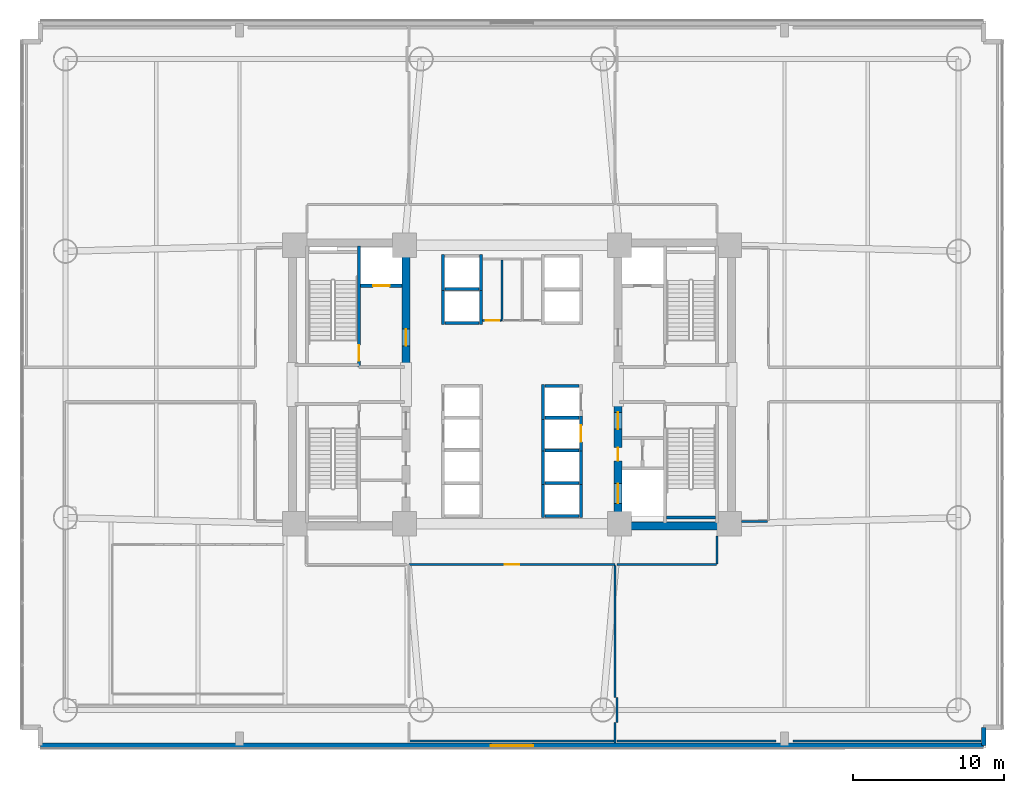
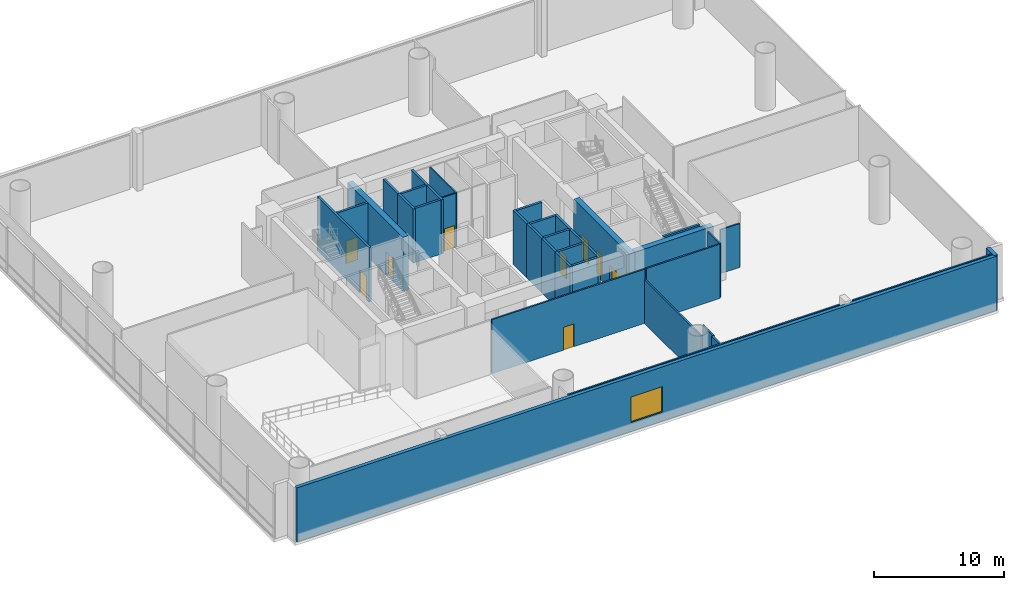
# One storey, part 8 of 15: 38 walls, 9 doors, 1 window, 10 openings.
"""IFC4 building model written with IfcOpenShell, lengths in metres."""

from ifc_helpers import new_model, si_unit, direction, frame, frame_2d, origin, place, context, subcontext, project, spatial, rectangle, extrude, source, transform, mapped, material, layer, layer_set, type_object, element, fill, save


model = new_model("IFC4")

# Units and contexts
model_context = context("Model", 3, precision=1e-05, world=origin(), true_north=direction((0.0, 1.0)))
body_context = subcontext(model_context, "Body", "Model", "MODEL_VIEW")
ifc_project = project(units=[si_unit("LENGTHUNIT", "METRE"), si_unit("AREAUNIT", "SQUARE_METRE"), si_unit("VOLUMEUNIT", "CUBIC_METRE"), si_unit("PLANEANGLEUNIT", "RADIAN"), si_unit("MASSUNIT", "GRAM", prefix="KILO")], contexts=[model_context])

# Site, building, storey
site_placement = place(None, origin())
site = spatial("IfcSite", under=ifc_project, at=site_placement, CompositionType="ELEMENT")
building_placement = place(site_placement, origin())
building = spatial("IfcBuilding", under=site, at=building_placement, Name="Zahravan Cultural Tower", CompositionType="ELEMENT")
storey_placement = place(building_placement, frame((0.0, 0.0, 12.60009765625)))
storey = spatial("IfcBuildingStorey", under=building, at=storey_placement, Name="L02", CompositionType="ELEMENT", Elevation=12.60009765625)

# Wall, opening, door
ifc_material_1 = material(Name="Concrete C60/75", Category="concrete")
ifc_layer_1 = layer(ifc_material_1, 0.5)
ifc_layer_set_1 = layer_set([ifc_layer_1], Name="Concrete C60/75")
wall_type_1 = type_object("IfcWallType", Name="CW-SHEAR-500-C60", PredefinedType="SHEAR", material=ifc_layer_set_1)
wall_1_placement = place(storey_placement, frame((29.0, 28.050048828125, 0.0), z_axis=(0.0, 0.0, 1.0), x_axis=(0.0, 1.0, 0.0)))
wall_1 = element("IfcWall", 1, at=wall_1_placement, inside=storey, type_object=wall_type_1, Name="L02 Core Shear Wall CW-W-EN-L02", PredefinedType="SHEAR", context=body_context, shape_type="SweptSolid", body=[
    extrude(rectangle(XDim=8.550048828125, YDim=0.5, at=frame_2d((4.27490234375, 0.0))), origin(), (0.0, 0.0, 1.0), 5.099853515625),
])
opening_1_placement = place(wall_1_placement, frame((1.5, 0.0, 0.0)))
opening_1 = element("IfcOpeningElement", 2, at=opening_1_placement, cuts=wall_1, Name="Opening D-L02-05", PredefinedType="OPENING", context=body_context, shape_type="SweptSolid", body=[
    extrude(rectangle(XDim=1.10009765625, YDim=2.199951171875, at=frame_2d((0.550048828125, 1.10009765625))), frame((0.0, 0.260009765625, 0.0), z_axis=(0.0, -1.0, 0.0), x_axis=(1.0, 0.0, 0.0)), (0.0, 0.0, 1.0), 0.52001953125),
])
ifc_material_2 = material(Name="Steel ASTM A572 Grade 50", Category="steel")
door_type_1 = type_object("IfcDoorType", Name="DR-LOBBY-1100", OperationType="NOTDEFINED", PredefinedType="DOOR", material=ifc_material_2)
shared_shape_1 = source(origin(), body_context, "Body", "SweptSolid", [
    extrude(rectangle(XDim=1.10009765625, YDim=2.199951171875, at=frame_2d((0.550048828125, 1.10009765625))), frame((0.0, 0.02490234375, 0.0), z_axis=(0.0, -1.0, 0.0), x_axis=(1.0, 0.0, 0.0)), (0.0, 0.0, 1.0), 0.050048828125),
])
door_1_placement = place(opening_1_placement, origin())
door_1 = element("IfcDoor", 3, at=door_1_placement, inside=storey, type_object=door_type_1, Name="L02 Door D-L02-05", OperationType="SINGLE_SWING_RIGHT", OverallHeight=2.199951171875, OverallWidth=1.10009765625, PredefinedType="DOOR", context=body_context, shape_type="MappedRepresentation", body=[
    mapped(shared_shape_1, transform((0.0, 0.0, 0.0), x_axis=(1.0, 0.0, 0.0), y_axis=(0.0, 1.0, 0.0), z_axis=(0.0, 0.0, 1.0), scale=1.0)),
])
fill(opening_1, door_1)

# Wall, openings, doors
wall_2_placement = place(storey_placement, frame((43.0, 17.39990234375, 0.0), z_axis=(0.0, 0.0, 1.0), x_axis=(0.0, 1.0, 0.0)))
wall_2 = element("IfcWall", 4, at=wall_2_placement, inside=storey, type_object=wall_type_1, Name="L02 Core Shear Wall CW-E-WS-L02", PredefinedType="SHEAR", context=body_context, shape_type="SweptSolid", body=[
    extrude(rectangle(XDim=8.550048828125, YDim=0.5, at=frame_2d((4.27490234375, 0.0))), origin(), (0.0, 0.0, 1.0), 5.099853515625),
])
opening_2_placement = place(wall_2_placement, frame((6.64990234375, 0.0, 0.0)))
opening_2 = element("IfcOpeningElement", 5, at=opening_2_placement, cuts=wall_2, Name="Opening D-L02-08", PredefinedType="OPENING", context=body_context, shape_type="SweptSolid", body=[
    extrude(rectangle(XDim=1.10009765625, YDim=2.199951171875, at=frame_2d((0.550048828125, 1.10009765625))), frame((0.0, 0.260009765625, 0.0), z_axis=(0.0, -1.0, 0.0), x_axis=(1.0, 0.0, 0.0)), (0.0, 0.0, 1.0), 0.52001953125),
])
opening_3_placement = place(wall_2_placement, frame((1.75, 0.0, 0.0)))
opening_3 = element("IfcOpeningElement", 6, at=opening_3_placement, cuts=wall_2, Name="Opening LD-L02-03", PredefinedType="OPENING", context=body_context, shape_type="SweptSolid", body=[
    extrude(rectangle(XDim=1.300048828125, YDim=2.199951171875, at=frame_2d((0.64990234375, 1.10009765625))), frame((0.0, 0.260009765625, 0.0), z_axis=(0.0, -1.0, 0.0), x_axis=(1.0, 0.0, 0.0)), (0.0, 0.0, 1.0), 0.52001953125),
])
opening_4_placement = place(wall_2_placement, frame((4.550048828125, 0.0, 0.0)))
opening_4 = element("IfcOpeningElement", 7, at=opening_4_placement, cuts=wall_2, Name="Opening D-L02-11", PredefinedType="OPENING", context=body_context, shape_type="SweptSolid", body=[
    extrude(rectangle(XDim=0.8798828125, YDim=2.10009765625, at=frame_2d((0.43994140625, 1.050048828125))), frame((0.0, 0.260009765625, 0.0), z_axis=(0.0, -1.0, 0.0), x_axis=(1.0, 0.0, 0.0)), (0.0, 0.0, 1.0), 0.52001953125),
])
door_2_placement = place(opening_2_placement, origin())
door_2 = element("IfcDoor", 8, at=door_2_placement, inside=storey, type_object=door_type_1, Name="L02 Door D-L02-08", OperationType="SINGLE_SWING_LEFT", OverallHeight=2.199951171875, OverallWidth=1.10009765625, PredefinedType="DOOR", context=body_context, shape_type="MappedRepresentation", body=[
    mapped(shared_shape_1, transform((0.0, 0.0, 0.0), x_axis=(1.0, 0.0, 0.0), y_axis=(0.0, 1.0, 0.0), z_axis=(0.0, 0.0, 1.0), scale=1.0)),
])
fill(opening_2, door_2)
door_type_2 = type_object("IfcDoorType", Name="DR-LIFT-1300", OperationType="DOUBLE_DOOR_SLIDING", PredefinedType="DOOR", material=ifc_material_2)
shared_shape_2 = source(origin(), body_context, "Body", "SweptSolid", [
    extrude(rectangle(XDim=1.300048828125, YDim=2.199951171875, at=frame_2d((0.64990234375, 1.10009765625))), frame((0.0, 0.02490234375, 0.0), z_axis=(0.0, -1.0, 0.0), x_axis=(1.0, 0.0, 0.0)), (0.0, 0.0, 1.0), 0.050048828125),
])
door_3_placement = place(opening_3_placement, origin())
door_3 = element("IfcDoor", 9, at=door_3_placement, inside=storey, type_object=door_type_2, Name="L02 Door LD-L02-03", OperationType="DOUBLE_DOOR_SLIDING", OverallHeight=2.199951171875, OverallWidth=1.300048828125, PredefinedType="DOOR", context=body_context, shape_type="MappedRepresentation", body=[
    mapped(shared_shape_2, transform((0.0, 0.0, 0.0), x_axis=(1.0, 0.0, 0.0), y_axis=(0.0, 1.0, 0.0), z_axis=(0.0, 0.0, 1.0), scale=1.0)),
])
fill(opening_3, door_3)
door_type_3 = type_object("IfcDoorType", Name="DR-SVC-880", OperationType="NOTDEFINED", PredefinedType="DOOR", material=ifc_material_2)
shared_shape_3 = source(origin(), body_context, "Body", "SweptSolid", [
    extrude(rectangle(XDim=0.8798828125, YDim=2.10009765625, at=frame_2d((0.43994140625, 1.050048828125))), frame((0.0, 0.02490234375, 0.0), z_axis=(0.0, -1.0, 0.0), x_axis=(1.0, 0.0, 0.0)), (0.0, 0.0, 1.0), 0.050048828125),
])
door_4_placement = place(opening_4_placement, origin())
door_4 = element("IfcDoor", 10, at=door_4_placement, inside=storey, type_object=door_type_3, Name="L02 Door D-L02-11", OperationType="SINGLE_SWING_RIGHT", OverallHeight=2.10009765625, OverallWidth=0.8798828125, PredefinedType="DOOR", context=body_context, shape_type="MappedRepresentation", body=[
    mapped(shared_shape_3, transform((0.0, 0.0, 0.0), x_axis=(1.0, 0.0, 0.0), y_axis=(0.0, 1.0, 0.0), z_axis=(0.0, 0.0, 1.0), scale=1.0)),
])
fill(opening_4, door_4)

# Wall, opening, window
ifc_material_3 = material(Name="Precast concrete C40/50", Category="concrete")
ifc_layer_2 = layer(ifc_material_3, 0.320068359375)
ifc_layer_set_2 = layer_set([ifc_layer_2], Name="Precast concrete C40/50")
wall_type_2 = type_object("IfcWallType", Name="EW-TC-320", PredefinedType="SOLIDWALL", material=ifc_layer_set_2)
wall_3_placement = place(storey_placement, frame((67.159912109375, 3.139892578125, 0.0), z_axis=(0.0, 0.0, 1.0), x_axis=(-1.0, 0.0, 0.0)))
wall_3 = element("IfcWall", 11, at=wall_3_placement, inside=storey, type_object=wall_type_2, Name="L02 Exterior Masonry Frame Wall 03", PredefinedType="SOLIDWALL", context=body_context, shape_type="SweptSolid", body=[
    extrude(rectangle(XDim=62.31982421875, YDim=0.320068359375, at=frame_2d((31.159912109375, 0.0))), origin(), (0.0, 0.0, 1.0), 5.099853515625),
])
opening_5_placement = place(wall_3_placement, frame((29.760009765625, 0.0, 0.85009765625)))
opening_5 = element("IfcOpeningElement", 12, at=opening_5_placement, cuts=wall_3, Name="Opening WN-04", PredefinedType="OPENING", context=body_context, shape_type="SweptSolid", body=[
    extrude(rectangle(XDim=2.800048828125, YDim=2.39990234375, at=frame_2d((1.39990234375, 1.199951171875))), frame((0.0, 0.169921875, 0.0), z_axis=(0.0, -1.0, 0.0), x_axis=(1.0, 0.0, 0.0)), (0.0, 0.0, 1.0), 0.340087890625),
])
ifc_material_4 = material(Name="Low-E solar-control double glazing", Category="glass")
window_type = type_object("IfcWindowType", Name="WN-POD-2800X2400", PartitioningType="TRIPLE_PANEL_VERTICAL", PredefinedType="WINDOW", material=ifc_material_4)
shared_shape_4 = source(origin(), body_context, "Body", "SweptSolid", [
    extrude(rectangle(XDim=2.800048828125, YDim=2.39990234375, at=frame_2d((1.39990234375, 1.199951171875))), frame((0.0, 0.030029296875, 0.0), z_axis=(0.0, -1.0, 0.0), x_axis=(1.0, 0.0, 0.0)), (0.0, 0.0, 1.0), 0.06005859375),
])
window_placement = place(opening_5_placement, origin())
window = element("IfcWindow", 13, at=window_placement, inside=storey, type_object=window_type, Name="L02 Recessed Solar Window 01", OverallHeight=2.39990234375, OverallWidth=2.800048828125, PartitioningType="TRIPLE_PANEL_VERTICAL", PredefinedType="WINDOW", context=body_context, shape_type="MappedRepresentation", body=[
    mapped(shared_shape_4, transform((0.0, 0.0, 0.0), x_axis=(1.0, 0.0, 0.0), y_axis=(0.0, 1.0, 0.0), z_axis=(0.0, 0.0, 1.0), scale=1.0)),
])
fill(opening_5, window)

# Wall, opening, door
ifc_material_5 = material(Name="Gypsum plasterboard partition")
ifc_layer_3 = layer(ifc_material_5, 0.139892578125)
ifc_layer_set_3 = layer_set([ifc_layer_3], Name="Gypsum plasterboard partition")
wall_type_3 = type_object("IfcWallType", Name="W-PART-140", PredefinedType="PARTITIONING", material=ifc_layer_set_3)
wall_4_placement = place(storey_placement, frame((29.18994140625, 15.110107421875, 0.0), z_axis=(0.0, 0.0, 1.0), x_axis=(1.0, 0.0, 0.0)))
wall_4 = element("IfcWall", 14, at=wall_4_placement, inside=storey, type_object=wall_type_3, Name="L02 Interior Wall 079", PredefinedType="PARTITIONING", context=body_context, shape_type="SweptSolid", body=[
    extrude(rectangle(XDim=13.6201171875, YDim=0.139892578125, at=frame_2d((6.81005859375, 0.0))), origin(), (0.0, 0.0, 1.0), 5.099853515625),
])
opening_6_placement = place(wall_4_placement, frame((6.3349609375, 0.0, 0.0)))
opening_6 = element("IfcOpeningElement", 15, at=opening_6_placement, cuts=wall_4, Name="Opening D-L02-20", PredefinedType="OPENING", context=body_context, shape_type="SweptSolid", body=[
    extrude(rectangle(XDim=0.949951171875, YDim=2.14990234375, at=frame_2d((0.47509765625, 1.074951171875))), frame((0.0, 0.079833984375, 0.0), z_axis=(0.0, -1.0, 0.0), x_axis=(1.0, 0.0, 0.0)), (0.0, 0.0, 1.0), 0.159912109375),
])
ifc_material_6 = material(Name="Anodised bronze-aluminium mullion", Category="aluminium")
door_type_4 = type_object("IfcDoorType", Name="DR-ROOM-950", OperationType="NOTDEFINED", PredefinedType="DOOR", material=ifc_material_6)
shared_shape_5 = source(origin(), body_context, "Body", "SweptSolid", [
    extrude(rectangle(XDim=0.949951171875, YDim=2.14990234375, at=frame_2d((0.47509765625, 1.074951171875))), frame((0.0, 0.02490234375, 0.0), z_axis=(0.0, -1.0, 0.0), x_axis=(1.0, 0.0, 0.0)), (0.0, 0.0, 1.0), 0.050048828125),
])
door_5_placement = place(opening_6_placement, origin())
door_5 = element("IfcDoor", 16, at=door_5_placement, inside=storey, type_object=door_type_4, Name="L02 Door D-L02-20", OperationType="SINGLE_SWING_LEFT", OverallHeight=2.14990234375, OverallWidth=0.949951171875, PredefinedType="DOOR", context=body_context, shape_type="MappedRepresentation", body=[
    mapped(shared_shape_5, transform((0.0, 0.0, 0.0), x_axis=(1.0, 0.0, 0.0), y_axis=(0.0, 1.0, 0.0), z_axis=(0.0, 0.0, 1.0), scale=1.0)),
])
fill(opening_6, door_5)

ifc_material_7 = material(Name="Concrete C45/55", Category="concrete")
ifc_layer_4 = layer(ifc_material_7, 0.199951171875)
ifc_layer_set_4 = layer_set([ifc_layer_4], Name="Concrete C45/55")
wall_type_4 = type_object("IfcWallType", Name="W-SHAFT-200", PredefinedType="SOLIDWALL", material=ifc_layer_set_4)
wall_5_placement = place(storey_placement, frame((25.89990234375, 28.14990234375, 0.0), z_axis=(0.0, 0.0, 1.0), x_axis=(0.0, 1.0, 0.0)))
wall_5 = element("IfcWall", 17, at=wall_5_placement, inside=storey, type_object=wall_type_4, Name="L02 Interior Wall 006", PredefinedType="SOLIDWALL", context=body_context, shape_type="SweptSolid", body=[
    extrude(rectangle(XDim=8.0, YDim=0.199951171875, at=frame_2d((4.0, 0.0))), origin(), (0.0, 0.0, 1.0), 5.099853515625),
])
opening_7_placement = place(wall_5_placement, frame((0.39990234375, 0.0, 0.0)))
opening_7 = element("IfcOpeningElement", 18, at=opening_7_placement, cuts=wall_5, Name="Opening D-L02-01", PredefinedType="OPENING", context=body_context, shape_type="SweptSolid", body=[
    extrude(rectangle(XDim=1.050048828125, YDim=2.14990234375, at=frame_2d((0.52490234375, 1.074951171875))), frame((0.0, 0.10986328125, 0.0), z_axis=(0.0, -1.0, 0.0), x_axis=(1.0, 0.0, 0.0)), (0.0, 0.0, 1.0), 0.219970703125),
])
door_type_5 = type_object("IfcDoorType", Name="DR-STAIR-1050", OperationType="NOTDEFINED", PredefinedType="DOOR", material=ifc_material_2)
shared_shape_6 = source(origin(), body_context, "Body", "SweptSolid", [
    extrude(rectangle(XDim=1.050048828125, YDim=2.14990234375, at=frame_2d((0.52490234375, 1.074951171875))), frame((0.0, 0.02490234375, 0.0), z_axis=(0.0, -1.0, 0.0), x_axis=(1.0, 0.0, 0.0)), (0.0, 0.0, 1.0), 0.050048828125),
])
door_6_placement = place(opening_7_placement, origin())
door_6 = element("IfcDoor", 19, at=door_6_placement, inside=storey, type_object=door_type_5, Name="L02 Door D-L02-01", OperationType="SINGLE_SWING_RIGHT", OverallHeight=2.14990234375, OverallWidth=1.050048828125, PredefinedType="DOOR", context=body_context, shape_type="MappedRepresentation", body=[
    mapped(shared_shape_6, transform((0.0, 0.0, 0.0), x_axis=(1.0, 0.0, 0.0), y_axis=(0.0, 1.0, 0.0), z_axis=(0.0, 0.0, 1.0), scale=1.0)),
])
fill(opening_7, door_6)

wall_6_placement = place(storey_placement, frame((26.0, 33.52001953125, 0.0), z_axis=(0.0, 0.0, 1.0), x_axis=(1.0, 0.0, 0.0)))
wall_6 = element("IfcWall", 20, at=wall_6_placement, inside=storey, type_object=wall_type_4, Name="L02 Interior Wall 021", PredefinedType="SOLIDWALL", context=body_context, shape_type="SweptSolid", body=[
    extrude(rectangle(XDim=2.75, YDim=0.199951171875, at=frame_2d((1.375, 0.0))), origin(), (0.0, 0.0, 1.0), 5.099853515625),
])
opening_8_placement = place(wall_6_placement, frame((0.820068359375, 0.0, 0.0)))
opening_8 = element("IfcOpeningElement", 21, at=opening_8_placement, cuts=wall_6, Name="Opening LD-L02-01", PredefinedType="OPENING", context=body_context, shape_type="SweptSolid", body=[
    extrude(rectangle(XDim=1.10009765625, YDim=2.14990234375, at=frame_2d((0.550048828125, 1.074951171875))), frame((0.0, 0.10986328125, 0.0), z_axis=(0.0, -1.0, 0.0), x_axis=(1.0, 0.0, 0.0)), (0.0, 0.0, 1.0), 0.219970703125),
])
door_type_6 = type_object("IfcDoorType", Name="DR-LIFT-1100", OperationType="DOUBLE_DOOR_SLIDING", PredefinedType="DOOR", material=ifc_material_2)
shared_shape_7 = source(origin(), body_context, "Body", "SweptSolid", [
    extrude(rectangle(XDim=1.10009765625, YDim=2.14990234375, at=frame_2d((0.550048828125, 1.074951171875))), frame((0.0, 0.02490234375, 0.0), z_axis=(0.0, -1.0, 0.0), x_axis=(1.0, 0.0, 0.0)), (0.0, 0.0, 1.0), 0.050048828125),
])
door_7_placement = place(opening_8_placement, origin())
door_7 = element("IfcDoor", 22, at=door_7_placement, inside=storey, type_object=door_type_6, Name="L02 Door LD-L02-01", OperationType="DOUBLE_DOOR_SLIDING", OverallHeight=2.14990234375, OverallWidth=1.10009765625, PredefinedType="DOOR", context=body_context, shape_type="MappedRepresentation", body=[
    mapped(shared_shape_7, transform((0.0, 0.0, 0.0), x_axis=(1.0, 0.0, 0.0), y_axis=(0.0, 1.0, 0.0), z_axis=(0.0, 0.0, 1.0), scale=1.0)),
])
fill(opening_8, door_7)

wall_7_placement = place(storey_placement, frame((40.550048828125, 22.60009765625, 0.0), z_axis=(0.0, 0.0, 1.0), x_axis=(0.0, 1.0, 0.0)))
wall_7 = element("IfcWall", 23, at=wall_7_placement, inside=storey, type_object=wall_type_4, Name="L02 Interior Wall 067", PredefinedType="SOLIDWALL", context=body_context, shape_type="SweptSolid", body=[
    extrude(rectangle(XDim=2.2998046875, YDim=0.199951171875, at=frame_2d((1.14990234375, 0.0))), origin(), (0.0, 0.0, 1.0), 5.099853515625),
])
opening_9_placement = place(wall_7_placement, frame((0.60009765625, 0.0, 0.0)))
opening_9 = element("IfcOpeningElement", 24, at=opening_9_placement, cuts=wall_7, Name="Opening LD-L02-07", PredefinedType="OPENING", context=body_context, shape_type="SweptSolid", body=[
    extrude(rectangle(XDim=1.10009765625, YDim=2.14990234375, at=frame_2d((0.550048828125, 1.074951171875))), frame((0.0, 0.10986328125, 0.0), z_axis=(0.0, -1.0, 0.0), x_axis=(1.0, 0.0, 0.0)), (0.0, 0.0, 1.0), 0.219970703125),
])
door_8_placement = place(opening_9_placement, origin())
door_8 = element("IfcDoor", 25, at=door_8_placement, inside=storey, type_object=door_type_6, Name="L02 Door LD-L02-07", OperationType="DOUBLE_DOOR_SLIDING", OverallHeight=2.14990234375, OverallWidth=1.10009765625, PredefinedType="DOOR", context=body_context, shape_type="MappedRepresentation", body=[
    mapped(shared_shape_7, transform((0.0, 0.0, 0.0), x_axis=(1.0, 0.0, 0.0), y_axis=(0.0, 1.0, 0.0), z_axis=(0.0, 0.0, 1.0), scale=1.0)),
])
fill(opening_9, door_8)

ifc_layer_5 = layer(ifc_material_5, 0.114990234375)
ifc_layer_set_5 = layer_set([ifc_layer_5], Name="Gypsum plasterboard partition")
wall_type_5 = type_object("IfcWallType", Name="W-WC-115", PredefinedType="PARTITIONING", material=ifc_layer_set_5)
wall_8_placement = place(storey_placement, frame((35.277587890625, 31.219970703125, 0.0), z_axis=(0.0, 0.0, 1.0), x_axis=(-1.0, 0.0, 0.0)))
wall_8 = element("IfcWall", 26, at=wall_8_placement, inside=storey, type_object=wall_type_5, Name="L02 Interior Wall 073", PredefinedType="PARTITIONING", context=body_context, shape_type="SweptSolid", body=[
    extrude(rectangle(XDim=1.22265625, YDim=0.114990234375, at=frame_2d((0.611328125, 0.0))), origin(), (0.0, 0.0, 1.0), 5.099853515625),
])
opening_10_placement = place(wall_8_placement, frame((0.10986328125, 0.0, 0.0)))
opening_10 = element("IfcOpeningElement", 27, at=opening_10_placement, cuts=wall_8, Name="Opening D-L02-13", PredefinedType="OPENING", context=body_context, shape_type="SweptSolid", body=[
    extrude(rectangle(XDim=0.89990234375, YDim=2.10009765625, at=frame_2d((0.449951171875, 1.050048828125))), frame((0.0, 0.0673828125, 0.0), z_axis=(0.0, -1.0, 0.0), x_axis=(1.0, 0.0, 0.0)), (0.0, 0.0, 1.0), 0.135009765625),
])
door_type_7 = type_object("IfcDoorType", Name="DR-WC-900", OperationType="NOTDEFINED", PredefinedType="DOOR", material=ifc_material_6)
shared_shape_8 = source(origin(), body_context, "Body", "SweptSolid", [
    extrude(rectangle(XDim=0.89990234375, YDim=2.10009765625, at=frame_2d((0.449951171875, 1.050048828125))), frame((0.0, 0.02490234375, 0.0), z_axis=(0.0, -1.0, 0.0), x_axis=(1.0, 0.0, 0.0)), (0.0, 0.0, 1.0), 0.050048828125),
])
door_9_placement = place(opening_10_placement, origin())
door_9 = element("IfcDoor", 28, at=door_9_placement, inside=storey, type_object=door_type_7, Name="L02 Door D-L02-13", OperationType="SINGLE_SWING_RIGHT", OverallHeight=2.10009765625, OverallWidth=0.89990234375, PredefinedType="DOOR", context=body_context, shape_type="MappedRepresentation", body=[
    mapped(shared_shape_8, transform((0.0, 0.0, 0.0), x_axis=(1.0, 0.0, 0.0), y_axis=(0.0, 1.0, 0.0), z_axis=(0.0, 0.0, 1.0), scale=1.0)),
])
fill(opening_10, door_9)

# Walls
shared_shape_9 = source(origin(), body_context, "Body", "SweptSolid", [
    extrude(rectangle(XDim=7.0, YDim=0.5, at=frame_2d((3.5, 0.0))), origin(), (0.0, 0.0, 1.0), 5.099853515625),
])
wall_9_placement = place(storey_placement, frame((43.25, 17.64990234375, 0.0), z_axis=(0.0, 0.0, 1.0), x_axis=(1.0, 0.0, 0.0)))
element("IfcWall", 29, at=wall_9_placement, inside=storey, type_object=wall_type_1, Name="L02 Core Shear Wall CW-E-S-L02", PredefinedType="SHEAR", context=body_context, shape_type="MappedRepresentation", body=[
    mapped(shared_shape_9, transform((0.0, 0.0, 0.0), x_axis=(1.0, 0.0, 0.0), y_axis=(0.0, 1.0, 0.0), z_axis=(0.0, 0.0, 1.0), scale=1.0)),
])
shared_shape_10 = source(origin(), body_context, "Body", "SweptSolid", [
    extrude(rectangle(XDim=1.2001953125, YDim=0.320068359375, at=frame_2d((0.60009765625, 0.0))), origin(), (0.0, 0.0, 1.0), 5.099853515625),
])
wall_10_placement = place(storey_placement, frame((67.159912109375, 4.340087890625, 0.0), z_axis=(0.0, 0.0, 1.0), x_axis=(0.0, -1.0, 0.0)))
element("IfcWall", 30, at=wall_10_placement, inside=storey, type_object=wall_type_2, Name="L02 Exterior Masonry Frame Wall 02", PredefinedType="SOLIDWALL", context=body_context, shape_type="MappedRepresentation", body=[
    mapped(shared_shape_10, transform((0.0, 0.0, 0.0), x_axis=(1.0, 0.0, 0.0), y_axis=(0.0, 1.0, 0.0), z_axis=(0.0, 0.0, 1.0), scale=1.0)),
])
shared_shape_11 = source(origin(), body_context, "Body", "SweptSolid", [
    extrude(rectangle(XDim=3.25, YDim=0.199951171875, at=frame_2d((1.625, 0.0))), origin(), (0.0, 0.0, 1.0), 5.099853515625),
])
wall_11_placement = place(storey_placement, frame((46.199951171875, 18.199951171875, 0.0), z_axis=(0.0, 0.0, 1.0), x_axis=(1.0, 0.0, 0.0)))
element("IfcWall", 31, at=wall_11_placement, inside=storey, type_object=wall_type_4, Name="L02 Interior Wall 020", PredefinedType="SOLIDWALL", context=body_context, shape_type="MappedRepresentation", body=[
    mapped(shared_shape_11, transform((0.0, 0.0, 0.0), x_axis=(1.0, 0.0, 0.0), y_axis=(0.0, 1.0, 0.0), z_axis=(0.0, 0.0, 1.0), scale=1.0)),
])
shared_shape_12 = source(origin(), body_context, "Body", "SweptSolid", [
    extrude(rectangle(XDim=2.400146484375, YDim=0.199951171875, at=frame_2d((1.2001953125, 0.0))), origin(), (0.0, 0.0, 1.0), 5.099853515625),
])
for number, where, z_axis, x_axis, name in (
    (32, (31.449951171875, 33.199951171875, 0.0), (0.0, 0.0, 1.0), (0.0, 1.0, 0.0), "L02 Interior Wall 028"),
    (33, (33.949951171875, 33.199951171875, 0.0), (0.0, 0.0, 1.0), (0.0, 1.0, 0.0), "L02 Interior Wall 029"),
    (34, (31.449951171875, 30.949951171875, 0.0), (0.0, 0.0, 1.0), (0.0, 1.0, 0.0), "L02 Interior Wall 032"),
    (35, (33.949951171875, 30.949951171875, 0.0), (0.0, 0.0, 1.0), (0.0, 1.0, 0.0), "L02 Interior Wall 033"),
):
    element("IfcWall", number, at=place(storey_placement, frame(where, z_axis=z_axis, x_axis=x_axis)), inside=storey, type_object=wall_type_4, Name=name, PredefinedType="SOLIDWALL", context=body_context, shape_type="MappedRepresentation", body=[
        mapped(shared_shape_12, transform((0.0, 0.0, 0.0), x_axis=(1.0, 0.0, 0.0), y_axis=(0.0, 1.0, 0.0), z_axis=(0.0, 0.0, 1.0), scale=1.0)),
    ])
shared_shape_13 = source(origin(), body_context, "Body", "SweptSolid", [
    extrude(rectangle(XDim=2.260009765625, YDim=0.199951171875, at=frame_2d((1.1298828125, 0.0))), origin(), (0.0, 0.0, 1.0), 5.099853515625),
])
for number, where, z_axis, x_axis, name in (
    (36, (31.570068359375, 33.300048828125, 0.0), (0.0, 0.0, 1.0), (1.0, 0.0, 0.0), "L02 Interior Wall 030"),
    (37, (31.570068359375, 31.050048828125, 0.0), (0.0, 0.0, 1.0), (1.0, 0.0, 0.0), "L02 Interior Wall 034"),
    (38, (38.169921875, 20.5, 0.0), (0.0, 0.0, 1.0), (1.0, 0.0, 0.0), "L02 Interior Wall 051"),
    (39, (38.169921875, 22.64990234375, 0.0), (0.0, 0.0, 1.0), (1.0, 0.0, 0.0), "L02 Interior Wall 052"),
    (40, (38.169921875, 18.300048828125, 0.0), (0.0, 0.0, 1.0), (1.0, 0.0, 0.0), "L02 Interior Wall 055"),
    (41, (38.169921875, 24.800048828125, 0.0), (0.0, 0.0, 1.0), (1.0, 0.0, 0.0), "L02 Interior Wall 064"),
    (42, (38.169921875, 26.89990234375, 0.0), (0.0, 0.0, 1.0), (1.0, 0.0, 0.0), "L02 Interior Wall 065"),
):
    element("IfcWall", number, at=place(storey_placement, frame(where, z_axis=z_axis, x_axis=x_axis)), inside=storey, type_object=wall_type_4, Name=name, PredefinedType="SOLIDWALL", context=body_context, shape_type="MappedRepresentation", body=[
        mapped(shared_shape_13, transform((0.0, 0.0, 0.0), x_axis=(1.0, 0.0, 0.0), y_axis=(0.0, 1.0, 0.0), z_axis=(0.0, 0.0, 1.0), scale=1.0)),
    ])
shared_shape_14 = source(origin(), body_context, "Body", "SweptSolid", [
    extrude(rectangle(XDim=2.35009765625, YDim=0.199951171875, at=frame_2d((1.175048828125, 0.0))), origin(), (0.0, 0.0, 1.0), 5.099853515625),
])
for number, where, z_axis, x_axis, name in (
    (43, (38.050048828125, 20.39990234375, 0.0), (0.0, 0.0, 1.0), (0.0, 1.0, 0.0), "L02 Interior Wall 049"),
    (44, (40.550048828125, 20.39990234375, 0.0), (0.0, 0.0, 1.0), (0.0, 1.0, 0.0), "L02 Interior Wall 050"),
    (45, (38.050048828125, 18.199951171875, 0.0), (0.0, 0.0, 1.0), (0.0, 1.0, 0.0), "L02 Interior Wall 053"),
    (46, (40.550048828125, 18.199951171875, 0.0), (0.0, 0.0, 1.0), (0.0, 1.0, 0.0), "L02 Interior Wall 054"),
):
    element("IfcWall", number, at=place(storey_placement, frame(where, z_axis=z_axis, x_axis=x_axis)), inside=storey, type_object=wall_type_4, Name=name, PredefinedType="SOLIDWALL", context=body_context, shape_type="MappedRepresentation", body=[
        mapped(shared_shape_14, transform((0.0, 0.0, 0.0), x_axis=(1.0, 0.0, 0.0), y_axis=(0.0, 1.0, 0.0), z_axis=(0.0, 0.0, 1.0), scale=1.0)),
    ])
shared_shape_15 = source(origin(), body_context, "Body", "SweptSolid", [
    extrude(rectangle(XDim=2.300048828125, YDim=0.199951171875, at=frame_2d((1.14990234375, 0.0))), origin(), (0.0, 0.0, 1.0), 5.099853515625),
])
wall_12_placement = place(storey_placement, frame((38.050048828125, 24.699951171875, 0.0), z_axis=(0.0, 0.0, 1.0), x_axis=(0.0, 1.0, 0.0)))
element("IfcWall", 47, at=wall_12_placement, inside=storey, type_object=wall_type_4, Name="L02 Interior Wall 062", PredefinedType="SOLIDWALL", context=body_context, shape_type="MappedRepresentation", body=[
    mapped(shared_shape_15, transform((0.0, 0.0, 0.0), x_axis=(1.0, 0.0, 0.0), y_axis=(0.0, 1.0, 0.0), z_axis=(0.0, 0.0, 1.0), scale=1.0)),
])
shared_shape_16 = source(origin(), body_context, "Body", "SweptSolid", [
    extrude(rectangle(XDim=2.2998046875, YDim=0.199951171875, at=frame_2d((1.14990234375, 0.0))), origin(), (0.0, 0.0, 1.0), 5.099853515625),
])
wall_13_placement = place(storey_placement, frame((38.050048828125, 22.60009765625, 0.0), z_axis=(0.0, 0.0, 1.0), x_axis=(0.0, 1.0, 0.0)))
element("IfcWall", 48, at=wall_13_placement, inside=storey, type_object=wall_type_4, Name="L02 Interior Wall 066", PredefinedType="SOLIDWALL", context=body_context, shape_type="MappedRepresentation", body=[
    mapped(shared_shape_16, transform((0.0, 0.0, 0.0), x_axis=(1.0, 0.0, 0.0), y_axis=(0.0, 1.0, 0.0), z_axis=(0.0, 0.0, 1.0), scale=1.0)),
])
shared_shape_17 = source(origin(), body_context, "Body", "SweptSolid", [
    extrude(rectangle(XDim=3.99755859375, YDim=0.114990234375, at=frame_2d((1.998779296875, 0.0))), origin(), (0.0, 0.0, 1.0), 5.099853515625),
])
wall_14_placement = place(storey_placement, frame((35.340087890625, 35.217529296875, 0.0), z_axis=(0.0, 0.0, 1.0), x_axis=(0.0, -1.0, 0.0)))
element("IfcWall", 49, at=wall_14_placement, inside=storey, type_object=wall_type_5, Name="L02 Interior Wall 072", PredefinedType="PARTITIONING", context=body_context, shape_type="MappedRepresentation", body=[
    mapped(shared_shape_17, transform((0.0, 0.0, 0.0), x_axis=(1.0, 0.0, 0.0), y_axis=(0.0, 1.0, 0.0), z_axis=(0.0, 0.0, 1.0), scale=1.0)),
])
shared_shape_18 = source(origin(), body_context, "Body", "SweptSolid", [
    extrude(rectangle(XDim=13.6201171875, YDim=0.139892578125, at=frame_2d((6.81005859375, 0.0))), origin(), (0.0, 0.0, 1.0), 5.099853515625),
])
wall_15_placement = place(storey_placement, frame((42.81005859375, 3.43994140625, 0.0), z_axis=(0.0, 0.0, 1.0), x_axis=(-1.0, 0.0, 0.0)))
element("IfcWall", 50, at=wall_15_placement, inside=storey, type_object=wall_type_3, Name="L02 Interior Wall 076", PredefinedType="PARTITIONING", context=body_context, shape_type="MappedRepresentation", body=[
    mapped(shared_shape_18, transform((0.0, 0.0, 0.0), x_axis=(1.0, 0.0, 0.0), y_axis=(0.0, 1.0, 0.0), z_axis=(0.0, 0.0, 1.0), scale=1.0)),
])
shared_shape_19 = source(origin(), body_context, "Body", "SweptSolid", [
    extrude(rectangle(XDim=1.3798828125, YDim=0.139892578125, at=frame_2d((0.68994140625, 0.0))), origin(), (0.0, 0.0, 1.0), 5.099853515625),
])
wall_16_placement = place(storey_placement, frame((42.81005859375, 4.679931640625, 0.0), z_axis=(0.0, 0.0, 1.0), x_axis=(0.0, -1.0, 0.0)))
element("IfcWall", 51, at=wall_16_placement, inside=storey, type_object=wall_type_3, Name="L02 Interior Wall 081", PredefinedType="PARTITIONING", context=body_context, shape_type="MappedRepresentation", body=[
    mapped(shared_shape_19, transform((0.0, 0.0, 0.0), x_axis=(1.0, 0.0, 0.0), y_axis=(0.0, 1.0, 0.0), z_axis=(0.0, 0.0, 1.0), scale=1.0)),
])
shared_shape_20 = source(origin(), body_context, "Body", "SweptSolid", [
    extrude(rectangle(XDim=8.71484375, YDim=0.139892578125, at=frame_2d((4.357421875, 0.0))), origin(), (0.0, 0.0, 1.0), 4.126953125),
])
wall_17_placement = place(storey_placement, frame((42.81005859375, 15.034912109375, 0.0), z_axis=(0.0, 0.0, 1.0), x_axis=(0.0, -1.0, 0.0)))
element("IfcWall", 52, at=wall_17_placement, inside=storey, type_object=wall_type_3, Name="L02 Interior Wall 080", PredefinedType="PARTITIONING", context=body_context, shape_type="MappedRepresentation", body=[
    mapped(shared_shape_20, transform((0.0, 0.0, 0.0), x_axis=(1.0, 0.0, 0.0), y_axis=(0.0, 1.0, 0.0), z_axis=(0.0, 0.0, 1.0), scale=1.0)),
])
shared_shape_21 = source(origin(), body_context, "Body", "SweptSolid", [
    extrude(rectangle(XDim=1.72412109375, YDim=0.139892578125, at=frame_2d((0.862060546875, 0.0))), origin(), (0.0, 0.0, 1.0), 4.126953125),
])
wall_18_placement = place(storey_placement, frame((51.169921875, 17.9599609375, 0.0), z_axis=(0.0, 0.0, 1.0), x_axis=(1.0, 0.0, 0.0)))
element("IfcWall", 53, at=wall_18_placement, inside=storey, type_object=wall_type_3, Name="L02 Interior Wall 111", PredefinedType="PARTITIONING", context=body_context, shape_type="MappedRepresentation", body=[
    mapped(shared_shape_21, transform((0.0, 0.0, 0.0), x_axis=(1.0, 0.0, 0.0), y_axis=(0.0, 1.0, 0.0), z_axis=(0.0, 0.0, 1.0), scale=1.0)),
])
shared_shape_22 = source(origin(), body_context, "Body", "SweptSolid", [
    extrude(rectangle(XDim=6.55419921875, YDim=0.139892578125, at=frame_2d((3.277099609375, 0.0))), origin(), (0.0, 0.0, 1.0), 5.099853515625),
])
wall_19_placement = place(storey_placement, frame((42.93994140625, 15.110107421875, 0.0), z_axis=(0.0, 0.0, 1.0), x_axis=(1.0, 0.0, 0.0)))
element("IfcWall", 54, at=wall_19_placement, inside=storey, type_object=wall_type_3, Name="L02 Interior Wall 109", PredefinedType="PARTITIONING", context=body_context, shape_type="MappedRepresentation", body=[
    mapped(shared_shape_22, transform((0.0, 0.0, 0.0), x_axis=(1.0, 0.0, 0.0), y_axis=(0.0, 1.0, 0.0), z_axis=(0.0, 0.0, 1.0), scale=1.0)),
])
shared_shape_23 = source(origin(), body_context, "Body", "SweptSolid", [
    extrude(rectangle(XDim=1.64013671875, YDim=0.139892578125, at=frame_2d((0.820068359375, 0.0))), origin(), (0.0, 0.0, 1.0), 5.099853515625),
])
wall_20_placement = place(storey_placement, frame((42.93994140625, 4.679931640625, 0.0), z_axis=(0.0, 0.0, 1.0), x_axis=(0.0, 1.0, 0.0)))
element("IfcWall", 55, at=wall_20_placement, inside=storey, type_object=wall_type_3, Name="L02 Interior Wall 108", PredefinedType="PARTITIONING", context=body_context, shape_type="MappedRepresentation", body=[
    mapped(shared_shape_23, transform((0.0, 0.0, 0.0), x_axis=(1.0, 0.0, 0.0), y_axis=(0.0, 1.0, 0.0), z_axis=(0.0, 0.0, 1.0), scale=1.0)),
])
shared_shape_24 = source(origin(), body_context, "Body", "SweptSolid", [
    extrude(rectangle(XDim=12.425048828125, YDim=0.139892578125, at=frame_2d((6.21240234375, 0.0))), origin(), (0.0, 0.0, 1.0), 5.099853515625),
])
wall_21_placement = place(storey_placement, frame((66.9951171875, 3.43994140625, 0.0), z_axis=(0.0, 0.0, 1.0), x_axis=(-1.0, 0.0, 0.0)))
element("IfcWall", 56, at=wall_21_placement, inside=storey, type_object=wall_type_3, Name="L02 Interior Wall 106", PredefinedType="PARTITIONING", context=body_context, shape_type="MappedRepresentation", body=[
    mapped(shared_shape_24, transform((0.0, 0.0, 0.0), x_axis=(1.0, 0.0, 0.0), y_axis=(0.0, 1.0, 0.0), z_axis=(0.0, 0.0, 1.0), scale=1.0)),
])
shared_shape_25 = source(origin(), body_context, "Body", "SweptSolid", [
    extrude(rectangle(XDim=10.489990234375, YDim=0.139892578125, at=frame_2d((5.2451171875, 0.0))), origin(), (0.0, 0.0, 1.0), 5.099853515625),
])
wall_22_placement = place(storey_placement, frame((53.429931640625, 3.43994140625, 0.0), z_axis=(0.0, 0.0, 1.0), x_axis=(-1.0, 0.0, 0.0)))
element("IfcWall", 57, at=wall_22_placement, inside=storey, type_object=wall_type_3, Name="L02 Interior Wall 107", PredefinedType="PARTITIONING", context=body_context, shape_type="MappedRepresentation", body=[
    mapped(shared_shape_25, transform((0.0, 0.0, 0.0), x_axis=(1.0, 0.0, 0.0), y_axis=(0.0, 1.0, 0.0), z_axis=(0.0, 0.0, 1.0), scale=1.0)),
])
shared_shape_26 = source(origin(), body_context, "Body", "SweptSolid", [
    extrude(rectangle(XDim=1.832275390625, YDim=0.139892578125, at=frame_2d((0.916015625, 0.0))), origin(), (0.0, 0.0, 1.0), 5.099853515625),
])
wall_23_placement = place(storey_placement, frame((49.53955078125, 15.147705078125, 0.0), z_axis=(0.0, 0.0, 1.0), x_axis=(0.000133244502, 0.999999991123, 0.0)))
element("IfcWall", 58, at=wall_23_placement, inside=storey, type_object=wall_type_3, Name="L02 Interior Wall 110", PredefinedType="PARTITIONING", context=body_context, shape_type="MappedRepresentation", body=[
    mapped(shared_shape_26, transform((0.0, 0.0, 0.0), x_axis=(1.0, 0.0, 0.0), y_axis=(0.0, 1.0, 0.0), z_axis=(0.0, 0.0, 1.0), scale=1.0)),
])

save(model, "model.ifc")
